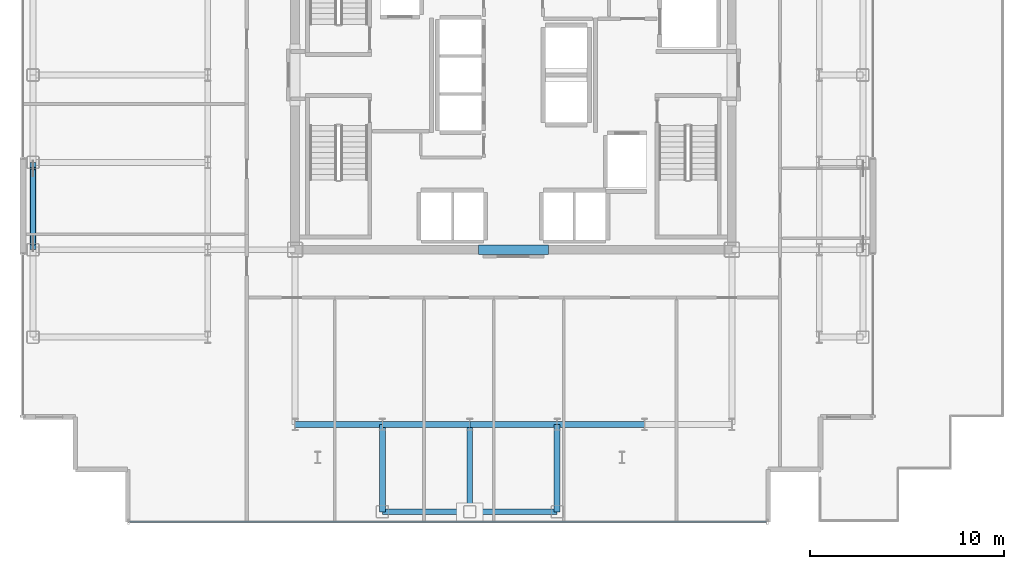
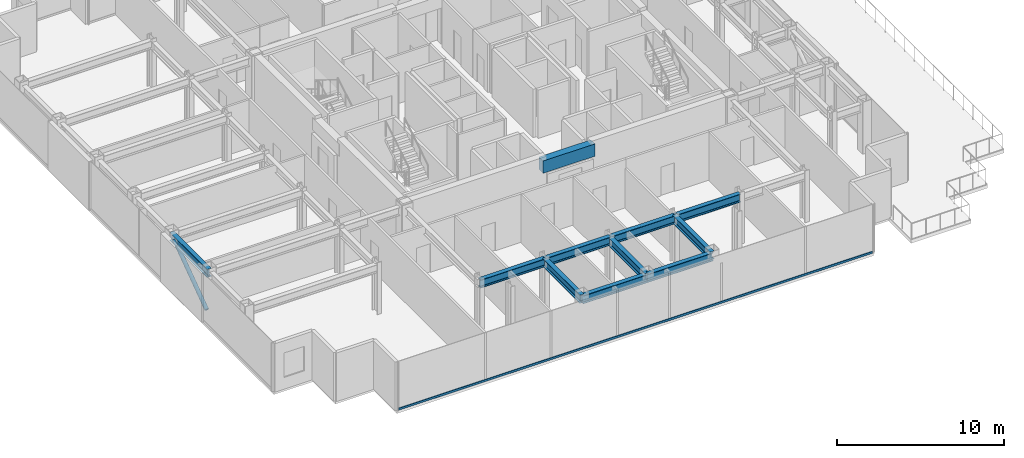
# One storey, part 3 of 17: 11 beams, 2 members, 1 element without a shape of its own.
"""IFC4 building model written with IfcOpenShell, lengths in metres."""

from ifc_helpers import new_model, si_unit, direction, frame, origin, origin_2d, place, context, subcontext, project, spatial, rectangle, hollow_rectangle, hollow_circle, i_section, extrude, source, transform, mapped, material, layer, layer_set, material_profile, profile_set, type_object, element, aggregate, save


model = new_model("IFC4")

# Units and contexts
model_context = context("Model", 3, precision=1e-05, world=origin(), true_north=direction((0.0, 1.0)))
body_context = subcontext(model_context, "Body", "Model", "MODEL_VIEW")
ifc_project = project(units=[si_unit("LENGTHUNIT", "METRE"), si_unit("AREAUNIT", "SQUARE_METRE"), si_unit("VOLUMEUNIT", "CUBIC_METRE"), si_unit("PLANEANGLEUNIT", "RADIAN"), si_unit("MASSUNIT", "GRAM", prefix="KILO")], contexts=[model_context])

# Site, building, storey
site_placement = place(None, origin())
site = spatial("IfcSite", under=ifc_project, at=site_placement, CompositionType="ELEMENT")
building_placement = place(site_placement, origin())
building = spatial("IfcBuilding", under=site, at=building_placement, Name="Nefas-Gora Pilgrimage Tower", CompositionType="ELEMENT")
storey_placement = place(building_placement, frame((0.0, 0.0, 264.60009765625)))
storey = spatial("IfcBuildingStorey", under=building, at=storey_placement, Name="L66", CompositionType="ELEMENT", Elevation=264.60009765625)

# Beams
ifc_material_1 = material(Name="Concrete C50/60", Category="concrete")
ifc_material_profile_1 = material_profile(ifc_material_1, rectangle(XDim=0.5, YDim=0.89990234375, at=origin_2d()), Name="RC 500x900")
ifc_profile_set_1 = profile_set([ifc_material_profile_1], Name="Concrete C50/60")
beam_type_1 = type_object("IfcBeamType", Name="BM-LIN-RC900", PredefinedType="LINTEL", material=ifc_profile_set_1)
shared_shape_1 = source(origin(), body_context, "Body", "SweptSolid", [
    extrude(rectangle(XDim=0.5, YDim=0.89990234375, at=origin_2d()), origin(), (0.0, 0.0, 1.0), 3.60009765625),
])
beam_placement = place(storey_placement, frame((-1.800048828125, -9.0, 3.099853515625), z_axis=(1.0, 0.0, 0.0), x_axis=(0.0, 1.0, 0.0)))
element("IfcBeam", 1, at=beam_placement, inside=storey, type_object=beam_type_1, Name="L66 Core Coupling Lintel Beam S", PredefinedType="LINTEL", context=body_context, shape_type="MappedRepresentation", body=[
    mapped(shared_shape_1, transform((0.0, 0.0, 0.0), x_axis=(1.0, 0.0, 0.0), y_axis=(0.0, 1.0, 0.0), z_axis=(0.0, 0.0, 1.0), scale=1.0)),
])
ifc_material_2 = material(Name="Steel S355", Category="steel")
ifc_material_profile_2 = material_profile(ifc_material_2, i_section(OverallWidth=0.300048828125, OverallDepth=0.60009765625, WebThickness=0.015380859375, FlangeThickness=0.030029296875, FilletRadius=0.027099609375, at=origin_2d()), Name="HEB 600")
ifc_profile_set_2 = profile_set([ifc_material_profile_2], Name="Steel S355")
beam_type_2 = type_object("IfcBeamType", Name="BM-SPN-HEB450", PredefinedType="SPANDREL", material=ifc_profile_set_2)
shared_shape_2 = source(origin(), body_context, "Body", "SweptSolid", [
    extrude(i_section(OverallWidth=0.300048828125, OverallDepth=0.60009765625, WebThickness=0.015380859375, FlangeThickness=0.030029296875, FilletRadius=0.027099609375, at=origin_2d()), origin(), (0.0, 0.0, 1.0), 4.5),
])
for number, where, z_axis, x_axis, name in (
    (2, (-24.75, -9.0, 3.25), (0.0, 1.0, 0.0), (-1.0, 0.0, 0.0), "L66 SP-03 beam"),
    (3, (-6.75, -22.5, 3.25), (1.0, 0.0, 0.0), (0.0, 1.0, 0.0), "L66 SP-03 beam"),
    (4, (-2.25, -22.5, 3.25), (1.0, 0.0, 0.0), (0.0, 1.0, 0.0), "L66 SP-03 beam"),
):
    element("IfcBeam", number, at=place(storey_placement, frame(where, z_axis=z_axis, x_axis=x_axis)), inside=storey, type_object=beam_type_2, Name=name, PredefinedType="SPANDREL", context=body_context, shape_type="MappedRepresentation", body=[
        mapped(shared_shape_2, transform((0.0, 0.0, 0.0), x_axis=(1.0, 0.0, 0.0), y_axis=(0.0, 1.0, 0.0), z_axis=(0.0, 0.0, 1.0), scale=1.0)),
    ])
ifc_material_profile_3 = material_profile(ifc_material_2, i_section(OverallWidth=0.300048828125, OverallDepth=0.60009765625, WebThickness=0.015380859375, FlangeThickness=0.030029296875, FilletRadius=0.027099609375, at=origin_2d()), Name="HEB 600")
ifc_profile_set_3 = profile_set([ifc_material_profile_3], Name="Steel S355")
beam_type_3 = type_object("IfcBeamType", Name="BM-GIR-HEB600", PredefinedType="BEAM", material=ifc_profile_set_3)
shared_shape_3 = source(origin(), body_context, "Body", "SweptSolid", [
    extrude(i_section(OverallWidth=0.300048828125, OverallDepth=0.60009765625, WebThickness=0.015380859375, FlangeThickness=0.030029296875, FilletRadius=0.027099609375, at=origin_2d()), origin(), (0.0, 0.0, 1.0), 4.5),
])
for number, where, z_axis, x_axis, name in (
    (5, (-11.25, -18.0, 3.25), (1.0, 0.0, 0.0), (0.0, 1.0, 0.0), "L66 G-04 beam"),
    (6, (-6.75, -22.5, 3.25), (0.0, 1.0, 0.0), (-1.0, 0.0, 0.0), "L66 G-04 beam"),
    (7, (-6.75, -18.0, 3.25), (1.0, 0.0, 0.0), (0.0, 1.0, 0.0), "L66 G-04 beam"),
    (8, (-2.25, -22.5, 3.25), (0.0, 1.0, 0.0), (-1.0, 0.0, 0.0), "L66 G-04 beam"),
    (9, (-2.25, -18.0, 3.25), (1.0, 0.0, 0.0), (0.0, 1.0, 0.0), "L66 G-04 beam"),
    (10, (2.25, -22.5, 3.25), (0.0, 1.0, 0.0), (-1.0, 0.0, 0.0), "L66 G-04 beam"),
    (11, (2.25, -18.0, 3.25), (1.0, 0.0, 0.0), (0.0, 1.0, 0.0), "L66 G-04 beam"),
):
    element("IfcBeam", number, at=place(storey_placement, frame(where, z_axis=z_axis, x_axis=x_axis)), inside=storey, type_object=beam_type_3, Name=name, PredefinedType="BEAM", context=body_context, shape_type="MappedRepresentation", body=[
        mapped(shared_shape_3, transform((0.0, 0.0, 0.0), x_axis=(1.0, 0.0, 0.0), y_axis=(0.0, 1.0, 0.0), z_axis=(0.0, 0.0, 1.0), scale=1.0)),
    ])

# Member
ifc_material_profile_4 = material_profile(ifc_material_2, hollow_circle(Radius=0.136474609375, WallThickness=0.01611328125, at=origin_2d()), Name="CHS 273x16")
ifc_profile_set_4 = profile_set([ifc_material_profile_4], Name="Steel S355")
member_type_1 = type_object("IfcMemberType", Name="MEM-TUBE-273", PredefinedType="BRACE", material=ifc_profile_set_4)
shared_shape_4 = source(origin(), body_context, "Body", "SweptSolid", [
    extrude(hollow_circle(Radius=0.136474609375, WallThickness=0.01611328125, at=origin_2d()), origin(), (0.0, 0.0, 1.0), 4.763671875),
])
member_1_placement = place(storey_placement, frame((-24.75, -8.68701171875, 0.3740234375), z_axis=(0.0, 0.813255312614, 0.581907034246), x_axis=(-1.0, 0.0, 0.0)))
element("IfcMember", 12, at=member_1_placement, inside=storey, type_object=member_type_1, Name="L66 Perimeter Tube Diagonal Brace W1", PredefinedType="BRACE", context=body_context, shape_type="MappedRepresentation", body=[
    mapped(shared_shape_4, transform((0.0, 0.0, 0.0), x_axis=(1.0, 0.0, 0.0), y_axis=(0.0, 1.0, 0.0), z_axis=(0.0, 0.0, 1.0), scale=1.0)),
])

# Curtain wall, member
ifc_material_3 = material(Name="Dark ceramic-fritted solar-control aluminium-glass curtain wall", Category="aluminium")
ifc_layer = layer(ifc_material_3, 0.219970703125)
ifc_layer_set = layer_set([ifc_layer], Name="Dark ceramic-fritted solar-control aluminium-glass curtain wall")
curtain_wall_type = type_object("IfcCurtainWallType", Name="CW-SYS-4", PredefinedType="NOTDEFINED", material=ifc_layer_set)
curtain_wall_placement = place(storey_placement, origin())
curtain_wall = element("IfcCurtainWall", 13, at=curtain_wall_placement, inside=storey, type_object=curtain_wall_type, Name="L66 Unitised Curtain Wall CW4", PredefinedType="NOTDEFINED")
ifc_material_4 = material(Name="Anodised architectural aluminium", Category="aluminium")
ifc_material_profile_5 = material_profile(ifc_material_4, hollow_rectangle(XDim=0.080078125, YDim=0.159912109375, WallThickness=0.00439453125, InnerFilletRadius=0.00439453125, OuterFilletRadius=0.009033203125, at=origin_2d()), Name="ALU TRANSOM 80x160")
ifc_profile_set_5 = profile_set([ifc_material_profile_5], Name="Anodised architectural aluminium")
member_type_2 = type_object("IfcMemberType", Name="CWM-TRN-4", PredefinedType="USERDEFINED", material=ifc_profile_set_5)
shared_shape_5 = source(origin(), body_context, "Body", "SweptSolid", [
    extrude(hollow_rectangle(XDim=0.080078125, YDim=0.159912109375, WallThickness=0.00439453125, InnerFilletRadius=0.00439453125, OuterFilletRadius=0.009033203125, at=origin_2d()), origin(), (0.0, 0.0, 1.0), 32.81005859375),
])
member_2_placement = place(storey_placement, frame((-19.780029296875, -23.02001953125, 0.0498046875), z_axis=(1.0, 0.0, 0.0), x_axis=(0.0, 1.0, 0.0)))
member_2 = element("IfcMember", 14, at=member_2_placement, type_object=member_type_2, Name="CW4 Spandrel Transom", ObjectType="TRANSOM", PredefinedType="USERDEFINED", context=body_context, shape_type="MappedRepresentation", body=[
    mapped(shared_shape_5, transform((0.0, 0.0, 0.0), x_axis=(1.0, 0.0, 0.0), y_axis=(0.0, 1.0, 0.0), z_axis=(0.0, 0.0, 1.0), scale=1.0)),
])
aggregate(curtain_wall, [member_2])

save(model, "model.ifc")
